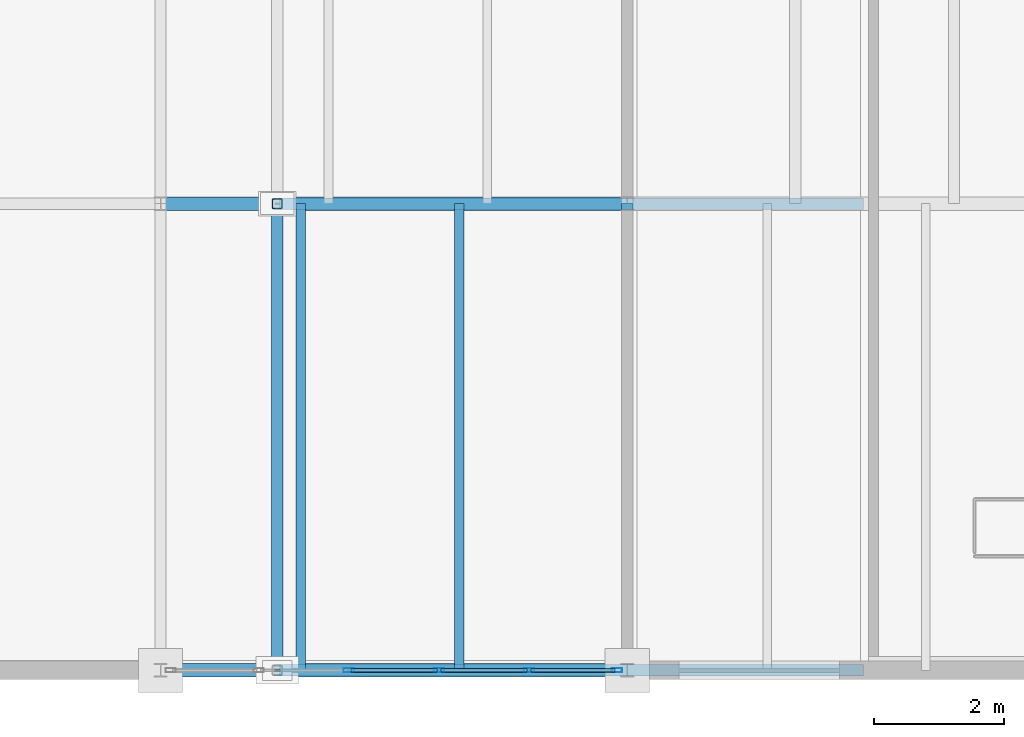
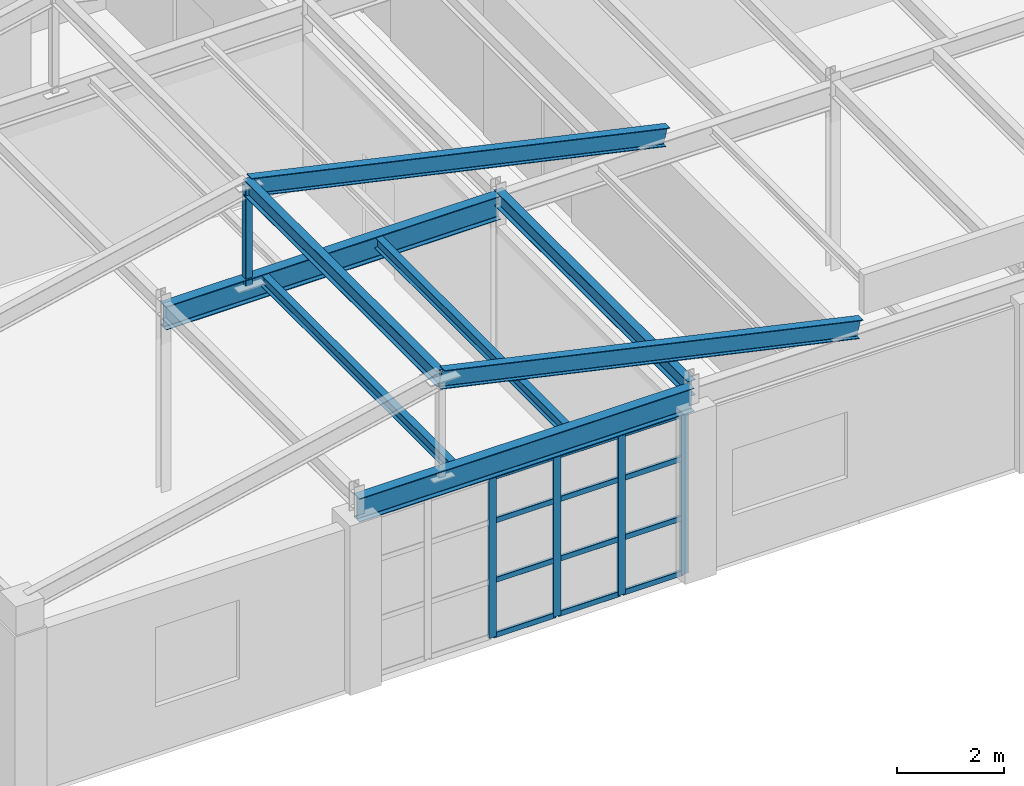
# One storey, part 9 of 43: 17 members, 8 beams, 1 element without a shape of its own.
"""IFC4 building model written with IfcOpenShell, lengths in metres."""

from ifc_helpers import new_model, si_unit, direction, frame, origin, origin_2d, place, context, subcontext, project, spatial, hollow_rectangle, i_section, extrude, material, layer, layer_set, material_profile, profile_set, type_object, element, aggregate, save


model = new_model("IFC4")

# Units and contexts
model_context = context("Model", 3, precision=1e-05, world=origin(), true_north=direction((0.0, 1.0)))
body_context = subcontext(model_context, "Body", "Model", "MODEL_VIEW")
ifc_project = project(units=[si_unit("LENGTHUNIT", "METRE"), si_unit("AREAUNIT", "SQUARE_METRE"), si_unit("VOLUMEUNIT", "CUBIC_METRE"), si_unit("PLANEANGLEUNIT", "RADIAN"), si_unit("MASSUNIT", "GRAM", prefix="KILO")], contexts=[model_context])

# Site, building, storey
site_placement = place(None, origin())
site = spatial("IfcSite", under=ifc_project, at=site_placement, CompositionType="ELEMENT")
building_placement = place(site_placement, origin())
building = spatial("IfcBuilding", under=site, at=building_placement, Name="Kemerveld Promenade Tramway Depot", CompositionType="ELEMENT")
storey_placement = place(building_placement, frame((0.0, 0.0, 18.89990234375)))
storey = spatial("IfcBuildingStorey", under=building, at=storey_placement, Name="L04", CompositionType="ELEMENT", Elevation=18.89990234375)

# Beams
ifc_material_1 = material(Name="Steel S355", Category="steel")
ifc_material_profile_1 = material_profile(ifc_material_1, i_section(OverallWidth=0.2099609375, OverallDepth=0.53662109375, WebThickness=0.0107421875, FlangeThickness=0.017333984375, FilletRadius=0.0126953125, at=origin_2d()), Name="533x210x101 UB")
ifc_profile_set_1 = profile_set([ifc_material_profile_1], Name="Steel S355")
beam_type_1 = type_object("IfcBeamType", Name="BM-G05", PredefinedType="BEAM", material=ifc_profile_set_1)
for number, where, z_axis, x_axis, name in (
    (1, (7.199951171875, 0.0, 3.94677734375), (1.0, 0.0, 0.0), (0.0, 1.0, 0.0), "BMX-L04-02-03-A"),
    (2, (7.199951171875, 7.199951171875, 3.94677734375), (1.0, 0.0, 0.0), (0.0, 1.0, 0.0), "BMX-L04-02-03-B"),
):
    element("IfcBeam", number, at=place(storey_placement, frame(where, z_axis=z_axis, x_axis=x_axis)), inside=storey, type_object=beam_type_1, Name=name, PredefinedType="BEAM", context=body_context, shape_type="SweptSolid", body=[
        extrude(i_section(OverallWidth=0.2099609375, OverallDepth=0.53662109375, WebThickness=0.0107421875, FlangeThickness=0.017333984375, FilletRadius=0.0126953125, at=origin_2d()), origin(), (0.0, 0.0, 1.0), 7.199951171875),
    ])
ifc_material_profile_2 = material_profile(ifc_material_1, i_section(OverallWidth=0.1787109375, OverallDepth=0.409423828125, WebThickness=0.0087890625, FlangeThickness=0.014404296875, FilletRadius=0.01025390625, at=origin_2d()), Name="406x178x67 UB")
ifc_profile_set_2 = profile_set([ifc_material_profile_2], Name="Steel S355")
beam_type_2 = type_object("IfcBeamType", Name="BM-G07", PredefinedType="BEAM", material=ifc_profile_set_2)
for number, where, z_axis, x_axis, name in (
    (3, (9.0, 0.0, 6.275390625), (0.976187060184, 0.0, -0.216930457819), (0.0, 1.0, 0.0), "RAF-V5-A-E"),
    (4, (9.0, 7.199951171875, 6.275390625), (0.976187060184, 0.0, -0.216930457819), (0.0, 1.0, 0.0), "RAF-V5-B-E"),
):
    element("IfcBeam", number, at=place(storey_placement, frame(where, z_axis=z_axis, x_axis=x_axis)), inside=storey, type_object=beam_type_2, Name=name, PredefinedType="BEAM", context=body_context, shape_type="SweptSolid", body=[
        extrude(i_section(OverallWidth=0.1787109375, OverallDepth=0.409423828125, WebThickness=0.0087890625, FlangeThickness=0.014404296875, FilletRadius=0.01025390625, at=origin_2d()), origin(), (0.0, 0.0, 1.0), 9.219482421875),
    ])
ifc_material_profile_3 = material_profile(ifc_material_1, i_section(OverallWidth=0.172119140625, OverallDepth=0.35791015625, WebThickness=0.008056640625, FlangeThickness=0.012939453125, FilletRadius=0.01025390625, at=origin_2d()), Name="356x171x57 UB")
ifc_profile_set_3 = profile_set([ifc_material_profile_3], Name="Steel S355")
beam_type_3 = type_object("IfcBeamType", Name="BM-G08", PredefinedType="BEAM", material=ifc_profile_set_3)
for number, where, z_axis, x_axis, name in (
    (5, (14.39990234375, 0.0, 4.14111328125), (0.0, 1.0, 0.0), (-1.0, 0.0, 0.0), "BMY-L04-03-A-B"),
    (6, (9.0, 0.0, 6.275390625), (0.0, 1.0, 0.0), (-1.0, 0.0, 0.0), "BM-RDG-V5-1"),
):
    element("IfcBeam", number, at=place(storey_placement, frame(where, z_axis=z_axis, x_axis=x_axis)), inside=storey, type_object=beam_type_3, Name=name, PredefinedType="BEAM", context=body_context, shape_type="SweptSolid", body=[
        extrude(i_section(OverallWidth=0.172119140625, OverallDepth=0.35791015625, WebThickness=0.008056640625, FlangeThickness=0.012939453125, FilletRadius=0.01025390625, at=origin_2d()), origin(), (0.0, 0.0, 1.0), 7.199951171875),
    ])
ifc_material_profile_4 = material_profile(ifc_material_1, i_section(OverallWidth=0.146484375, OverallDepth=0.256103515625, WebThickness=0.00634765625, FlangeThickness=0.010986328125, FilletRadius=0.007568359375, at=origin_2d()), Name="254x146x37 UB")
ifc_profile_set_4 = profile_set([ifc_material_profile_4], Name="Steel S355")
beam_type_4 = type_object("IfcBeamType", Name="BM-J02", PredefinedType="JOIST", material=ifc_profile_set_4)
for number, where, z_axis, x_axis, name in (
    (7, (9.360107421875, 0.0, 4.027099609375), (0.0, 1.0, 0.0), (-1.0, 0.0, 0.0), "JST-L04-02-A-1"),
    (8, (11.80810546875, 0.0, 4.027099609375), (0.0, 1.0, 0.0), (-1.0, 0.0, 0.0), "JST-L04-02-A-2"),
):
    element("IfcBeam", number, at=place(storey_placement, frame(where, z_axis=z_axis, x_axis=x_axis)), inside=storey, type_object=beam_type_4, Name=name, PredefinedType="JOIST", context=body_context, shape_type="SweptSolid", body=[
        extrude(i_section(OverallWidth=0.146484375, OverallDepth=0.256103515625, WebThickness=0.00634765625, FlangeThickness=0.010986328125, FilletRadius=0.007568359375, at=origin_2d()), origin(), (0.0, 0.0, 1.0), 7.199951171875),
    ])

# Curtain wall, members
ifc_material_2 = material(Name="Bronze anodised aluminium and solar glass", Category="aluminium")
ifc_layer = layer(ifc_material_2, 0.159912109375)
ifc_layer_set = layer_set([ifc_layer], Name="CW-SYS-07")
curtain_wall_type = type_object("IfcCurtainWallType", Name="CW-SYS-07", PredefinedType="USERDEFINED", material=ifc_layer_set)
curtain_wall_placement = place(storey_placement, origin())
curtain_wall = element("IfcCurtainWall", 9, at=curtain_wall_placement, inside=storey, type_object=curtain_wall_type, Name="CW-L04-V5S-04", ObjectType="GLAZED_CURTAIN_WALL", PredefinedType="USERDEFINED")
ifc_material_3 = material(Name="Bronze anodised aluminium", Category="aluminium")
ifc_material_profile_5 = material_profile(ifc_material_3, hollow_rectangle(XDim=0.06494140625, YDim=0.159912109375, WallThickness=0.00390625, InnerFilletRadius=0.001953125, OuterFilletRadius=0.00390625, at=origin_2d()), Name="CW-MUL-160x65")
ifc_profile_set_5 = profile_set([ifc_material_profile_5], Name="Bronze anodised aluminium")
member_type_1 = type_object("IfcMemberType", Name="CW-MUL-A", PredefinedType="MULLION", material=ifc_profile_set_5)
member_1_placement = place(storey_placement, frame((14.24267578125, 0.0, 0.0), z_axis=(0.0, 0.0, 1.0), x_axis=(0.0, -1.0, 0.0)))
member_1 = element("IfcMember", 10, at=member_1_placement, type_object=member_type_1, Name="CW07 mullion 1", PredefinedType="MULLION", context=body_context, shape_type="SweptSolid", body=[
    extrude(hollow_rectangle(XDim=0.06494140625, YDim=0.159912109375, WallThickness=0.00390625, InnerFilletRadius=0.001953125, OuterFilletRadius=0.00390625, at=origin_2d()), origin(), (0.0, 0.0, 1.0), 3.658203125),
])
member_2_placement = place(storey_placement, frame((12.885009765625, 0.0, 0.0), z_axis=(0.0, 0.0, 1.0), x_axis=(0.0, -1.0, 0.0)))
member_2 = element("IfcMember", 11, at=member_2_placement, type_object=member_type_1, Name="CW07 mullion 2", PredefinedType="MULLION", context=body_context, shape_type="SweptSolid", body=[
    extrude(hollow_rectangle(XDim=0.06494140625, YDim=0.159912109375, WallThickness=0.00390625, InnerFilletRadius=0.001953125, OuterFilletRadius=0.00390625, at=origin_2d()), origin(), (0.0, 0.0, 1.0), 3.658203125),
])
member_3_placement = place(storey_placement, frame((11.4951171875, 0.0, 0.0), z_axis=(0.0, 0.0, 1.0), x_axis=(0.0, -1.0, 0.0)))
member_3 = element("IfcMember", 12, at=member_3_placement, type_object=member_type_1, Name="CW07 mullion 3", PredefinedType="MULLION", context=body_context, shape_type="SweptSolid", body=[
    extrude(hollow_rectangle(XDim=0.06494140625, YDim=0.159912109375, WallThickness=0.00390625, InnerFilletRadius=0.001953125, OuterFilletRadius=0.00390625, at=origin_2d()), origin(), (0.0, 0.0, 1.0), 3.658203125),
])
member_4_placement = place(storey_placement, frame((10.10498046875, 0.0, 0.0), z_axis=(0.0, 0.0, 1.0), x_axis=(0.0, -1.0, 0.0)))
member_4 = element("IfcMember", 13, at=member_4_placement, type_object=member_type_1, Name="CW07 mullion 4", PredefinedType="MULLION", context=body_context, shape_type="SweptSolid", body=[
    extrude(hollow_rectangle(XDim=0.06494140625, YDim=0.159912109375, WallThickness=0.00390625, InnerFilletRadius=0.001953125, OuterFilletRadius=0.00390625, at=origin_2d()), origin(), (0.0, 0.0, 1.0), 3.658203125),
])
ifc_material_profile_6 = material_profile(ifc_material_3, hollow_rectangle(XDim=0.06005859375, YDim=0.1201171875, WallThickness=0.00390625, InnerFilletRadius=0.001953125, OuterFilletRadius=0.00390625, at=origin_2d()), Name="CW-TRN-120x60")
ifc_profile_set_6 = profile_set([ifc_material_profile_6], Name="Bronze anodised aluminium")
member_type_2 = type_object("IfcMemberType", Name="CW-TRN-A", PredefinedType="USERDEFINED", material=ifc_profile_set_6)
member_5_placement = place(storey_placement, frame((14.210205078125, 0.0, 0.030029296875), z_axis=(-1.0, 0.0, 0.0), x_axis=(0.0, -1.0, 0.0)))
member_5 = element("IfcMember", 14, at=member_5_placement, type_object=member_type_2, Name="CW07 transom 1.1", ObjectType="TRANSOM", PredefinedType="USERDEFINED", context=body_context, shape_type="SweptSolid", body=[
    extrude(hollow_rectangle(XDim=0.06005859375, YDim=0.1201171875, WallThickness=0.00390625, InnerFilletRadius=0.001953125, OuterFilletRadius=0.00390625, at=origin_2d()), origin(), (0.0, 0.0, 1.0), 1.29248046875),
])
member_6_placement = place(storey_placement, frame((14.210205078125, 0.0, 1.280029296875), z_axis=(-1.0, 0.0, 0.0), x_axis=(0.0, -1.0, 0.0)))
member_6 = element("IfcMember", 15, at=member_6_placement, type_object=member_type_2, Name="CW07 transom 1.2", ObjectType="TRANSOM", PredefinedType="USERDEFINED", context=body_context, shape_type="SweptSolid", body=[
    extrude(hollow_rectangle(XDim=0.06005859375, YDim=0.1201171875, WallThickness=0.00390625, InnerFilletRadius=0.001953125, OuterFilletRadius=0.00390625, at=origin_2d()), origin(), (0.0, 0.0, 1.0), 1.29248046875),
])
member_7_placement = place(storey_placement, frame((14.210205078125, 0.0, 2.634033203125), z_axis=(-1.0, 0.0, 0.0), x_axis=(0.0, -1.0, 0.0)))
member_7 = element("IfcMember", 16, at=member_7_placement, type_object=member_type_2, Name="CW07 transom 1.3", ObjectType="TRANSOM", PredefinedType="USERDEFINED", context=body_context, shape_type="SweptSolid", body=[
    extrude(hollow_rectangle(XDim=0.06005859375, YDim=0.1201171875, WallThickness=0.00390625, InnerFilletRadius=0.001953125, OuterFilletRadius=0.00390625, at=origin_2d()), origin(), (0.0, 0.0, 1.0), 1.29248046875),
])
member_8_placement = place(storey_placement, frame((14.210205078125, 0.0, 3.62841796875), z_axis=(-1.0, 0.0, 0.0), x_axis=(0.0, -1.0, 0.0)))
member_8 = element("IfcMember", 17, at=member_8_placement, type_object=member_type_2, Name="CW07 transom 1.4", ObjectType="TRANSOM", PredefinedType="USERDEFINED", context=body_context, shape_type="SweptSolid", body=[
    extrude(hollow_rectangle(XDim=0.06005859375, YDim=0.1201171875, WallThickness=0.00390625, InnerFilletRadius=0.001953125, OuterFilletRadius=0.00390625, at=origin_2d()), origin(), (0.0, 0.0, 1.0), 1.29248046875),
])
member_9_placement = place(storey_placement, frame((12.8525390625, 0.0, 0.030029296875), z_axis=(-1.0, 0.0, 0.0), x_axis=(0.0, -1.0, 0.0)))
member_9 = element("IfcMember", 18, at=member_9_placement, type_object=member_type_2, Name="CW07 transom 2.1", ObjectType="TRANSOM", PredefinedType="USERDEFINED", context=body_context, shape_type="SweptSolid", body=[
    extrude(hollow_rectangle(XDim=0.06005859375, YDim=0.1201171875, WallThickness=0.00390625, InnerFilletRadius=0.001953125, OuterFilletRadius=0.00390625, at=origin_2d()), origin(), (0.0, 0.0, 1.0), 1.324951171875),
])
member_10_placement = place(storey_placement, frame((12.8525390625, 0.0, 1.280029296875), z_axis=(-1.0, 0.0, 0.0), x_axis=(0.0, -1.0, 0.0)))
member_10 = element("IfcMember", 19, at=member_10_placement, type_object=member_type_2, Name="CW07 transom 2.2", ObjectType="TRANSOM", PredefinedType="USERDEFINED", context=body_context, shape_type="SweptSolid", body=[
    extrude(hollow_rectangle(XDim=0.06005859375, YDim=0.1201171875, WallThickness=0.00390625, InnerFilletRadius=0.001953125, OuterFilletRadius=0.00390625, at=origin_2d()), origin(), (0.0, 0.0, 1.0), 1.324951171875),
])
member_11_placement = place(storey_placement, frame((12.8525390625, 0.0, 2.634033203125), z_axis=(-1.0, 0.0, 0.0), x_axis=(0.0, -1.0, 0.0)))
member_11 = element("IfcMember", 20, at=member_11_placement, type_object=member_type_2, Name="CW07 transom 2.3", ObjectType="TRANSOM", PredefinedType="USERDEFINED", context=body_context, shape_type="SweptSolid", body=[
    extrude(hollow_rectangle(XDim=0.06005859375, YDim=0.1201171875, WallThickness=0.00390625, InnerFilletRadius=0.001953125, OuterFilletRadius=0.00390625, at=origin_2d()), origin(), (0.0, 0.0, 1.0), 1.324951171875),
])
member_12_placement = place(storey_placement, frame((12.8525390625, 0.0, 3.62841796875), z_axis=(-1.0, 0.0, 0.0), x_axis=(0.0, -1.0, 0.0)))
member_12 = element("IfcMember", 21, at=member_12_placement, type_object=member_type_2, Name="CW07 transom 2.4", ObjectType="TRANSOM", PredefinedType="USERDEFINED", context=body_context, shape_type="SweptSolid", body=[
    extrude(hollow_rectangle(XDim=0.06005859375, YDim=0.1201171875, WallThickness=0.00390625, InnerFilletRadius=0.001953125, OuterFilletRadius=0.00390625, at=origin_2d()), origin(), (0.0, 0.0, 1.0), 1.324951171875),
])
member_13_placement = place(storey_placement, frame((11.462646484375, 0.0, 0.030029296875), z_axis=(-1.0, 0.0, 0.0), x_axis=(0.0, -1.0, 0.0)))
member_13 = element("IfcMember", 22, at=member_13_placement, type_object=member_type_2, Name="CW07 transom 3.1", ObjectType="TRANSOM", PredefinedType="USERDEFINED", context=body_context, shape_type="SweptSolid", body=[
    extrude(hollow_rectangle(XDim=0.06005859375, YDim=0.1201171875, WallThickness=0.00390625, InnerFilletRadius=0.001953125, OuterFilletRadius=0.00390625, at=origin_2d()), origin(), (0.0, 0.0, 1.0), 1.3251953125),
])
member_14_placement = place(storey_placement, frame((11.462646484375, 0.0, 1.280029296875), z_axis=(-1.0, 0.0, 0.0), x_axis=(0.0, -1.0, 0.0)))
member_14 = element("IfcMember", 23, at=member_14_placement, type_object=member_type_2, Name="CW07 transom 3.2", ObjectType="TRANSOM", PredefinedType="USERDEFINED", context=body_context, shape_type="SweptSolid", body=[
    extrude(hollow_rectangle(XDim=0.06005859375, YDim=0.1201171875, WallThickness=0.00390625, InnerFilletRadius=0.001953125, OuterFilletRadius=0.00390625, at=origin_2d()), origin(), (0.0, 0.0, 1.0), 1.3251953125),
])
member_15_placement = place(storey_placement, frame((11.462646484375, 0.0, 2.634033203125), z_axis=(-1.0, 0.0, 0.0), x_axis=(0.0, -1.0, 0.0)))
member_15 = element("IfcMember", 24, at=member_15_placement, type_object=member_type_2, Name="CW07 transom 3.3", ObjectType="TRANSOM", PredefinedType="USERDEFINED", context=body_context, shape_type="SweptSolid", body=[
    extrude(hollow_rectangle(XDim=0.06005859375, YDim=0.1201171875, WallThickness=0.00390625, InnerFilletRadius=0.001953125, OuterFilletRadius=0.00390625, at=origin_2d()), origin(), (0.0, 0.0, 1.0), 1.3251953125),
])
member_16_placement = place(storey_placement, frame((11.462646484375, 0.0, 3.62841796875), z_axis=(-1.0, 0.0, 0.0), x_axis=(0.0, -1.0, 0.0)))
member_16 = element("IfcMember", 25, at=member_16_placement, type_object=member_type_2, Name="CW07 transom 3.4", ObjectType="TRANSOM", PredefinedType="USERDEFINED", context=body_context, shape_type="SweptSolid", body=[
    extrude(hollow_rectangle(XDim=0.06005859375, YDim=0.1201171875, WallThickness=0.00390625, InnerFilletRadius=0.001953125, OuterFilletRadius=0.00390625, at=origin_2d()), origin(), (0.0, 0.0, 1.0), 1.3251953125),
])
aggregate(curtain_wall, [member_1, member_2, member_3, member_4, member_5, member_6, member_7, member_8, member_9, member_10, member_11, member_12, member_13, member_14, member_15, member_16])

# Member
ifc_material_profile_7 = material_profile(ifc_material_1, hollow_rectangle(XDim=0.14990234375, YDim=0.14990234375, WallThickness=0.008056640625, InnerFilletRadius=0.00390625, OuterFilletRadius=0.011962890625, at=origin_2d()), Name="150x150x8.0 SHS")
ifc_profile_set_7 = profile_set([ifc_material_profile_7], Name="Steel S355")
member_type_3 = type_object("IfcMemberType", Name="MB-TP2", PredefinedType="POST", material=ifc_profile_set_7)
member_17_placement = place(storey_placement, frame((9.0, 7.199951171875, 4.050048828125), z_axis=(0.0, 0.0, 1.0), x_axis=(1.0, 0.0, 0.0)))
element("IfcMember", 26, at=member_17_placement, inside=storey, type_object=member_type_3, Name="POST-RDG-V5-B", PredefinedType="POST", context=body_context, shape_type="SweptSolid", body=[
    extrude(hollow_rectangle(XDim=0.14990234375, YDim=0.14990234375, WallThickness=0.008056640625, InnerFilletRadius=0.00390625, OuterFilletRadius=0.011962890625, at=origin_2d()), origin(), (0.0, 0.0, 1.0), 2.265380859375),
])

save(model, "model.ifc")
